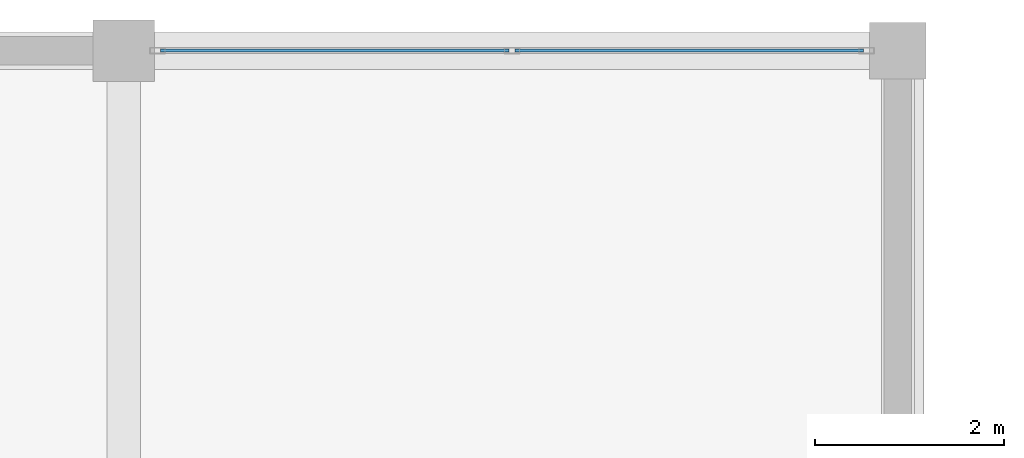
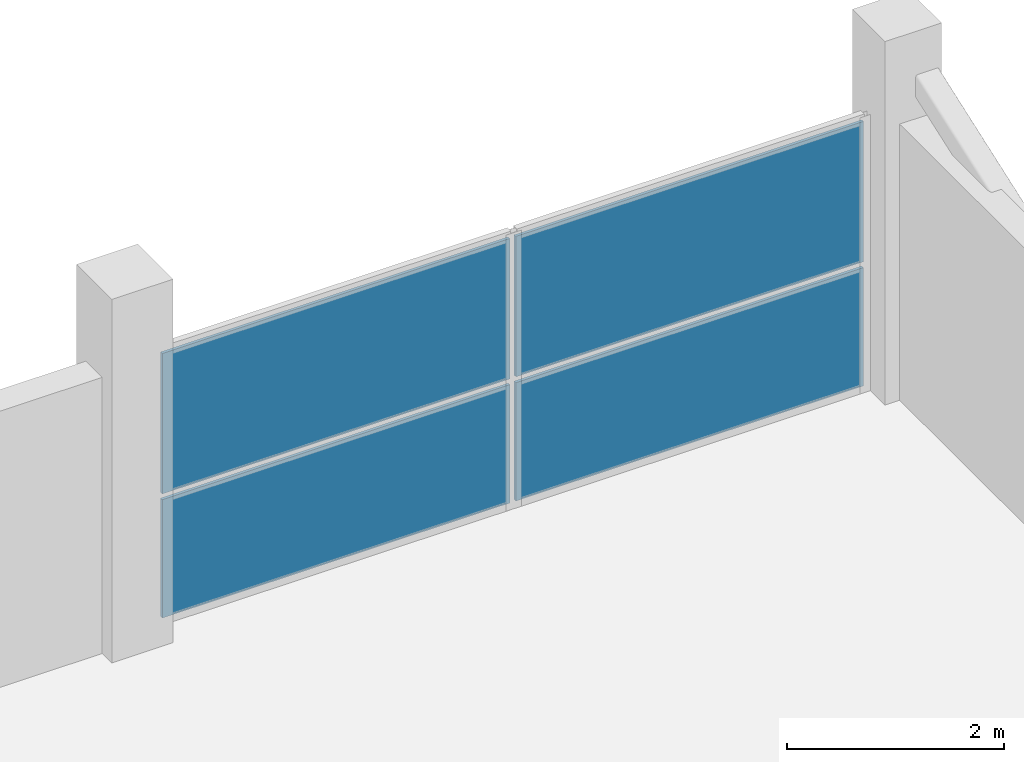
# One storey, part 54 of 66: 4 plates, 1 element without a shape of its own.
"""IFC4 building model written with IfcOpenShell, lengths in metres."""

from ifc_helpers import new_model, si_unit, direction, frame, origin, origin_2d, place, context, subcontext, project, spatial, rectangle, extrude, material, layer, layer_set, type_object, element, aggregate, save


model = new_model("IFC4")

# Units and contexts
model_context = context("Model", 3, precision=1e-05, world=origin(), true_north=direction((0.0, 1.0)))
body_context = subcontext(model_context, "Body", "Model", "MODEL_VIEW")
ifc_project = project(units=[si_unit("LENGTHUNIT", "METRE"), si_unit("AREAUNIT", "SQUARE_METRE"), si_unit("VOLUMEUNIT", "CUBIC_METRE"), si_unit("PLANEANGLEUNIT", "RADIAN"), si_unit("MASSUNIT", "GRAM", prefix="KILO")], contexts=[model_context])

# Site, building, storey
site_placement = place(None, origin())
site = spatial("IfcSite", under=ifc_project, at=site_placement, CompositionType="ELEMENT")
building_placement = place(site_placement, origin())
building = spatial("IfcBuilding", under=site, at=building_placement, Name="Sillaruma Civic Art Gallery", CompositionType="ELEMENT")
storey_placement = place(building_placement, frame((0.0, 0.0, 62.219970703125)))
storey = spatial("IfcBuildingStorey", under=building, at=storey_placement, Name="L12", CompositionType="ELEMENT", Elevation=62.219970703125)

# Curtain wall, plates
ifc_material_1 = material(Name="Thermally Broken Extruded Aluminium 6063-T6", Category="aluminium")
ifc_layer_1 = layer(ifc_material_1, 0.159912109375, Name="Thermally Broken Extruded Aluminium 6063-T6")
ifc_layer_set_1 = layer_set([ifc_layer_1], Name="Thermally Broken Extruded Aluminium 6063-T6")
curtain_wall_type = type_object("IfcCurtainWallType", Name="CW-UNI-103", PredefinedType="NOTDEFINED", material=ifc_layer_set_1)
curtain_wall_placement = place(storey_placement, origin())
curtain_wall = element("IfcCurtainWall", 1, at=curtain_wall_placement, inside=storey, type_object=curtain_wall_type, Name="Unitised Curtain Wall CW-103 (CW-L12-EBN-2)", PredefinedType="NOTDEFINED")
ifc_material_2 = material(Name="Low-E UV-Filtered Laminated Insulating Glass", Category="glass")
ifc_layer_2 = layer(ifc_material_2, 0.031982421875, Name="Low-E UV-Filtered Laminated Insulating Glass")
ifc_layer_set_2 = layer_set([ifc_layer_2], Name="Low-E UV-Filtered Laminated Insulating Glass")
plate_type = type_object("IfcPlateType", Name="PNL-GLZ-32", PredefinedType="CURTAIN_PANEL", material=ifc_layer_set_2)
plate_1_placement = place(storey_placement, frame((108.43505859375, 99.0, 0.06494140625), z_axis=(0.0, 0.0, 1.0), x_axis=(1.0, 0.0, 0.0)))
plate_1 = element("IfcPlate", 2, at=plate_1_placement, type_object=plate_type, Name="CW-103 panel 1.1", PredefinedType="CURTAIN_PANEL", context=body_context, shape_type="SweptSolid", body=[
    extrude(rectangle(XDim=3.68994140625, YDim=0.031982421875, at=origin_2d()), origin(), (0.0, 0.0, 1.0), 1.32861328125),
])
plate_2_placement = place(storey_placement, frame((108.43505859375, 99.0, 1.45849609375), z_axis=(0.0, 0.0, 1.0), x_axis=(1.0, 0.0, 0.0)))
plate_2 = element("IfcPlate", 3, at=plate_2_placement, type_object=plate_type, Name="CW-103 panel 1.2", PredefinedType="CURTAIN_PANEL", context=body_context, shape_type="SweptSolid", body=[
    extrude(rectangle(XDim=3.68994140625, YDim=0.031982421875, at=origin_2d()), origin(), (0.0, 0.0, 1.0), 1.576416015625),
])
plate_3_placement = place(storey_placement, frame((112.18994140625, 99.0, 0.06494140625), z_axis=(0.0, 0.0, 1.0), x_axis=(1.0, 0.0, 0.0)))
plate_3 = element("IfcPlate", 4, at=plate_3_placement, type_object=plate_type, Name="CW-103 panel 2.1", PredefinedType="CURTAIN_PANEL", context=body_context, shape_type="SweptSolid", body=[
    extrude(rectangle(XDim=3.68994140625, YDim=0.031982421875, at=origin_2d()), origin(), (0.0, 0.0, 1.0), 1.32861328125),
])
plate_4_placement = place(storey_placement, frame((112.18994140625, 99.0, 1.45849609375), z_axis=(0.0, 0.0, 1.0), x_axis=(1.0, 0.0, 0.0)))
plate_4 = element("IfcPlate", 5, at=plate_4_placement, type_object=plate_type, Name="CW-103 panel 2.2", PredefinedType="CURTAIN_PANEL", context=body_context, shape_type="SweptSolid", body=[
    extrude(rectangle(XDim=3.68994140625, YDim=0.031982421875, at=origin_2d()), origin(), (0.0, 0.0, 1.0), 1.576416015625),
])
aggregate(curtain_wall, [plate_1, plate_2, plate_3, plate_4])

save(model, "model.ifc")
